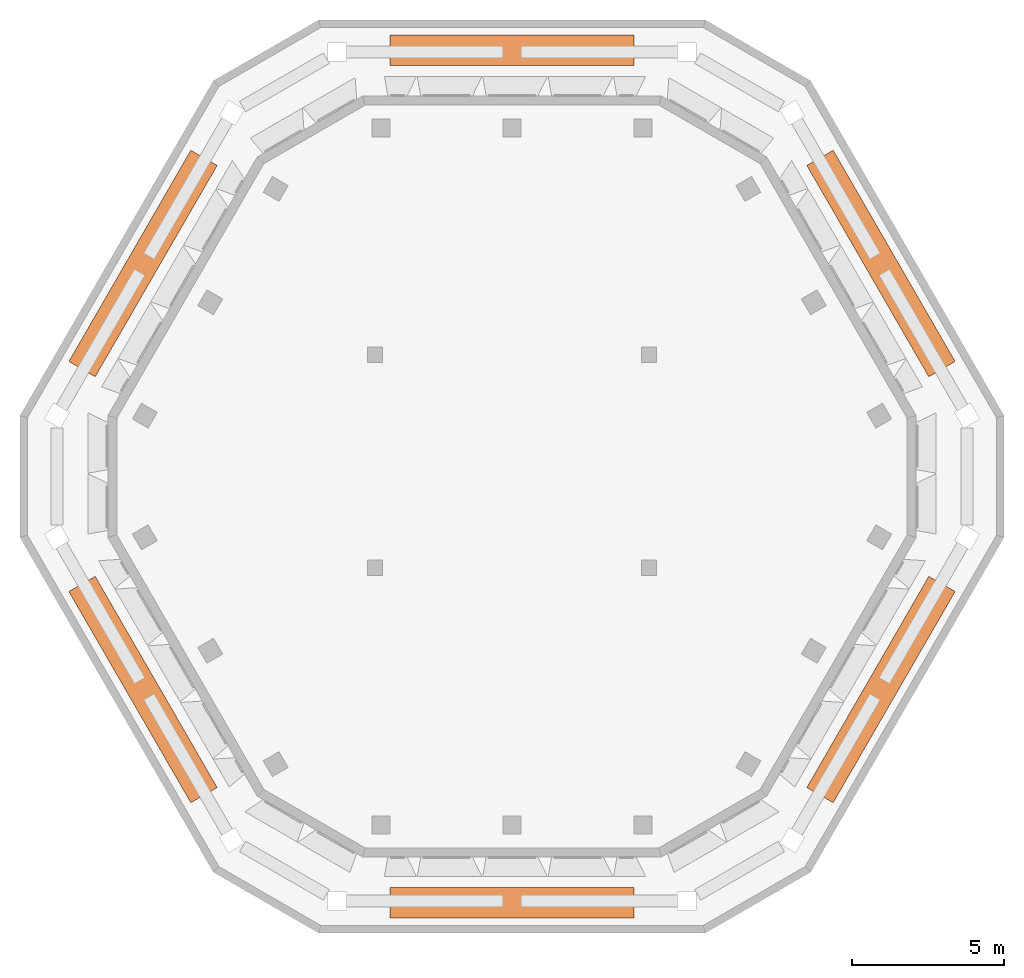
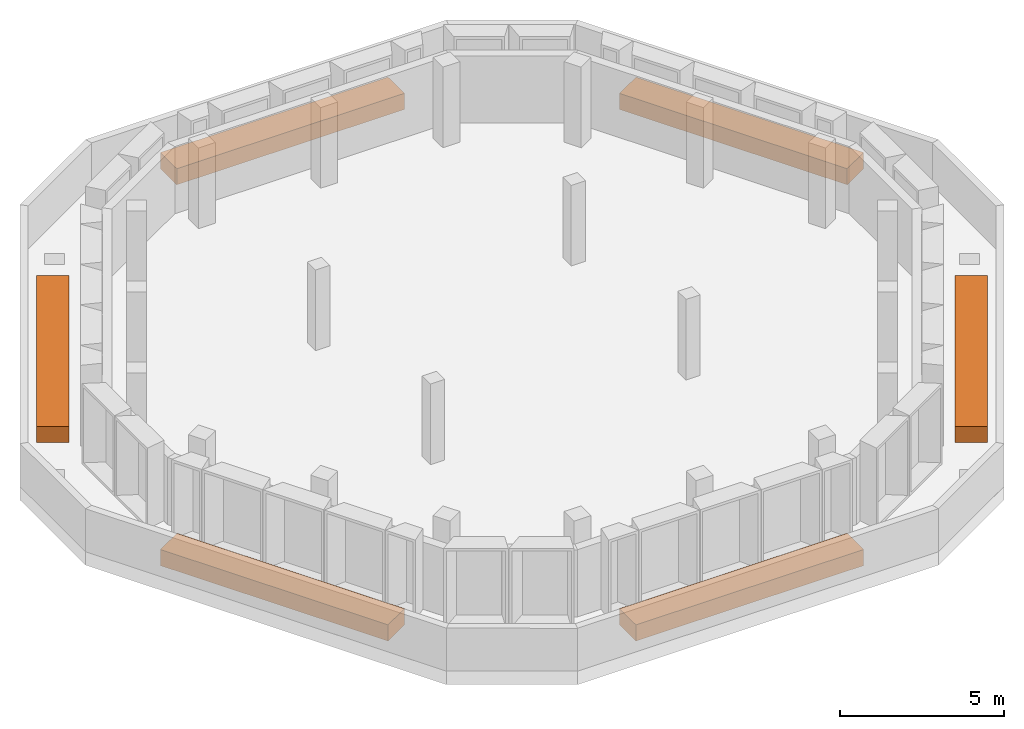
# One storey, part 4 of 4: 6 proxies.
"""IFC4 building model written with IfcOpenShell, lengths in metres."""

from ifc_helpers import new_model, si_unit, direction, frame, origin, place, context, subcontext, project, spatial, polyline, outline, extrude, material, type_object, element, save


model = new_model("IFC4")

# Units and contexts
model_context = context("Model", 3, precision=1e-05, world=origin(), true_north=direction((0.0, 1.0)))
body_context = subcontext(model_context, "Body", "Model", "MODEL_VIEW")
ifc_project = project(units=[si_unit("LENGTHUNIT", "METRE"), si_unit("AREAUNIT", "SQUARE_METRE"), si_unit("VOLUMEUNIT", "CUBIC_METRE"), si_unit("PLANEANGLEUNIT", "RADIAN"), si_unit("MASSUNIT", "GRAM", prefix="KILO")], contexts=[model_context])

# Site, building, storey
site_placement = place(None, origin())
site = spatial("IfcSite", under=ifc_project, at=site_placement, CompositionType="ELEMENT")
building_placement = place(site_placement, origin())
building = spatial("IfcBuilding", under=site, at=building_placement, Name="Beryl Residences", CompositionType="ELEMENT")
storey_placement = place(building_placement, frame((0.0, 0.0, 253.800048828125)))
storey = spatial("IfcBuildingStorey", under=building, at=storey_placement, Name="L79", CompositionType="ELEMENT", Elevation=253.800048828125)

# Proxies
ifc_material = material(Name="Planting soil in precast concrete C40/50 trough", Category="concrete")
building_element_proxy_type = type_object("IfcBuildingElementProxyType", Name="PL1 planter bed 600 mm", PredefinedType="USERDEFINED", material=ifc_material)
proxy_1_placement = place(storey_placement, origin())
element("IfcBuildingElementProxy", 1, at=proxy_1_placement, inside=storey, type_object=building_element_proxy_type, Name="PL1 planter bed L79 N roof", ObjectType="PLANTER", PredefinedType="USERDEFINED", context=body_context, shape_type="SweptSolid", body=[
    extrude(outline(polyline([(4.008056640625, 14.5), (-4.008056640625, 14.5), (-4.008056640625, 13.5), (4.008056640625, 13.5), (4.008056640625, 14.5)])), origin(), (0.0, 0.0, 1.0), 0.599853515625),
])
proxy_2_placement = place(storey_placement, origin())
element("IfcBuildingElementProxy", 2, at=proxy_2_placement, inside=storey, type_object=building_element_proxy_type, Name="PL1 planter bed L79 NW roof", ObjectType="PLANTER", PredefinedType="USERDEFINED", context=body_context, shape_type="SweptSolid", body=[
    extrude(outline(polyline([(-10.552978515625, 10.719970703125), (-14.56103515625, 3.780029296875), (-13.695068359375, 3.280029296875), (-9.68701171875, 10.219970703125), (-10.552978515625, 10.719970703125)])), origin(), (0.0, 0.0, 1.0), 0.599853515625),
])
proxy_3_placement = place(storey_placement, origin())
element("IfcBuildingElementProxy", 3, at=proxy_3_placement, inside=storey, type_object=building_element_proxy_type, Name="PL1 planter bed L79 SW roof", ObjectType="PLANTER", PredefinedType="USERDEFINED", context=body_context, shape_type="SweptSolid", body=[
    extrude(outline(polyline([(-14.56103515625, -3.780029296875), (-10.552978515625, -10.719970703125), (-9.68701171875, -10.219970703125), (-13.695068359375, -3.280029296875), (-14.56103515625, -3.780029296875)])), origin(), (0.0, 0.0, 1.0), 0.599853515625),
])
proxy_4_placement = place(storey_placement, origin())
element("IfcBuildingElementProxy", 4, at=proxy_4_placement, inside=storey, type_object=building_element_proxy_type, Name="PL1 planter bed L79 S roof", ObjectType="PLANTER", PredefinedType="USERDEFINED", context=body_context, shape_type="SweptSolid", body=[
    extrude(outline(polyline([(-4.008056640625, -14.5), (4.008056640625, -14.5), (4.008056640625, -13.5), (-4.008056640625, -13.5), (-4.008056640625, -14.5)])), origin(), (0.0, 0.0, 1.0), 0.599853515625),
])
proxy_5_placement = place(storey_placement, origin())
element("IfcBuildingElementProxy", 5, at=proxy_5_placement, inside=storey, type_object=building_element_proxy_type, Name="PL1 planter bed L79 SE roof", ObjectType="PLANTER", PredefinedType="USERDEFINED", context=body_context, shape_type="SweptSolid", body=[
    extrude(outline(polyline([(10.552978515625, -10.719970703125), (14.56103515625, -3.780029296875), (13.695068359375, -3.280029296875), (9.68701171875, -10.219970703125), (10.552978515625, -10.719970703125)])), origin(), (0.0, 0.0, 1.0), 0.599853515625),
])
proxy_6_placement = place(storey_placement, origin())
element("IfcBuildingElementProxy", 6, at=proxy_6_placement, inside=storey, type_object=building_element_proxy_type, Name="PL1 planter bed L79 NE roof", ObjectType="PLANTER", PredefinedType="USERDEFINED", context=body_context, shape_type="SweptSolid", body=[
    extrude(outline(polyline([(14.56103515625, 3.780029296875), (10.552978515625, 10.719970703125), (9.68701171875, 10.219970703125), (13.695068359375, 3.280029296875), (14.56103515625, 3.780029296875)])), origin(), (0.0, 0.0, 1.0), 0.599853515625),
])

save(model, "model.ifc")
